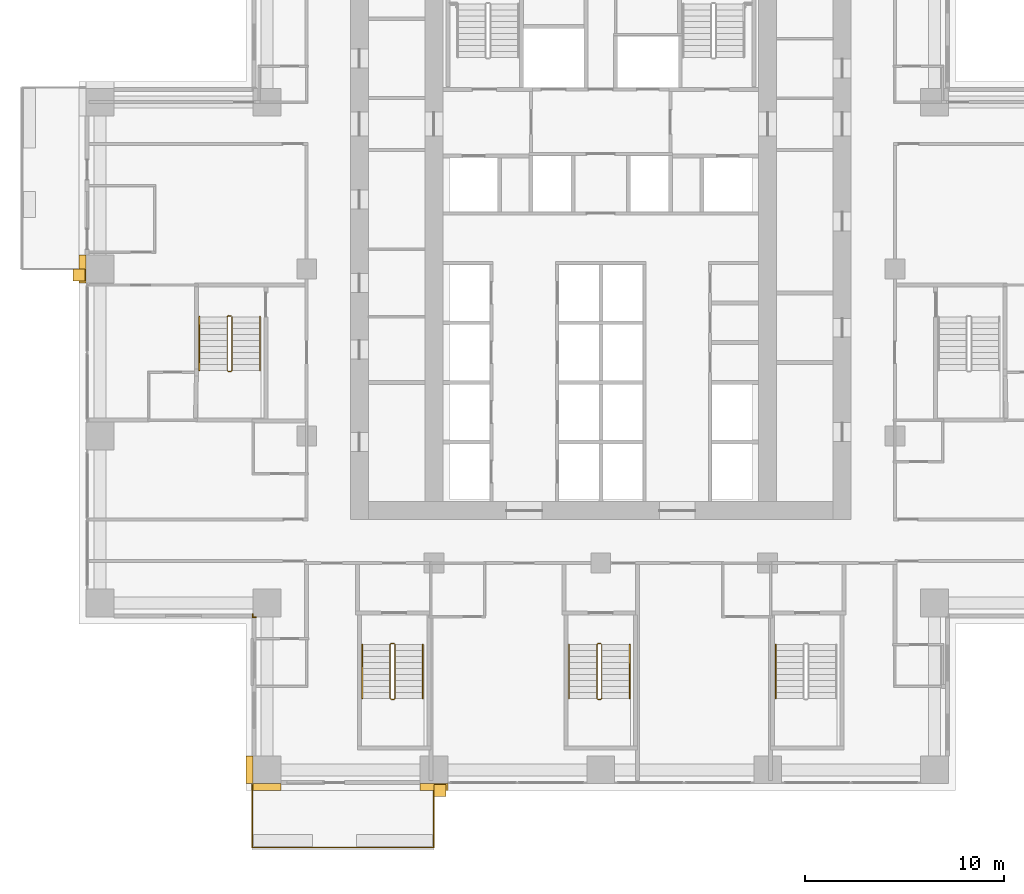
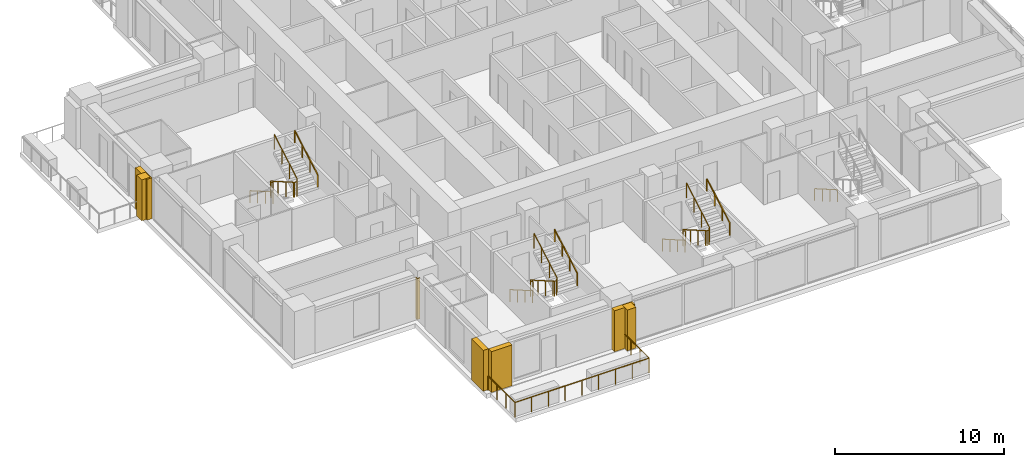
# One storey, part 13 of 16: 11 railings, 7 coverings.
"""IFC4 building model written with IfcOpenShell, lengths in metres."""

import ifcopenshell
import ifcopenshell.guid

model = None  # the IFC model being written
_history = None  # IfcOwnerHistory: only IFC2X3 demands one
_inside = {}  # id of a spatial element -> (the spatial element, [elements in it])
_under = {}  # id of a project, library or spatial element -> (it, [spatial elements below it])
_declared = {}  # id of a project -> (the project, [libraries it declares])
_typed = {}  # id of a type object -> (the type object, [elements of that type])
_made_of = {}  # id of a material, layer set ... -> (it, [elements and type objects made of it])


def new_model(schema):
    """Start an empty IFC model of exactly this schema.

    Asked for "IFC4X3", IfcOpenShell would pick the latest addendum, in which some entities
    have other attributes; the version numbers below select the first issue.
    IFC2X3 requires an IfcOwnerHistory on every rooted entity: one is made here for all.
    """
    global model, _history
    if schema == "IFC4X3":
        model = ifcopenshell.file(schema_version=(4, 3, 0, 0))
    else:
        model = ifcopenshell.file(schema=schema)
    _inside.clear()
    _under.clear()
    _declared.clear()
    _typed.clear()
    _made_of.clear()
    _history = None
    if model.schema == "IFC2X3":
        org = make("IfcOrganization", Name="unknown")
        user = make(
            "IfcPersonAndOrganization",
            ThePerson=make("IfcPerson", FamilyName="unknown"),
            TheOrganization=org,
        )
        app = make(
            "IfcApplication",
            ApplicationDeveloper=org,
            Version="unknown",
            ApplicationFullName="unknown",
            ApplicationIdentifier="unknown",
        )
        _history = make(
            "IfcOwnerHistory",
            OwningUser=user,
            OwningApplication=app,
            ChangeAction="ADDED",
            CreationDate=0,
        )
    return model


def make(cls, **values):
    """One entity of the class cls with the attributes given. An attribute that is None is left unset."""
    return model.create_entity(
        cls, **{name: value for name, value in values.items() if value is not None}
    )


def rooted(cls, **values):
    """An entity with a GlobalId (a new one), such as an element, a storey or a relation."""
    return make(cls, GlobalId=ifcopenshell.guid.new(), OwnerHistory=_history, **values)


def si_unit(unit_type, name, prefix=None):
    """IfcSIUnit, for example si_unit("LENGTHUNIT", "METRE", prefix="MILLI")."""
    return make("IfcSIUnit", UnitType=unit_type, Prefix=prefix, Name=name)


def assignment(units):
    """IfcUnitAssignment: the units of a project."""
    return None if units is None else make("IfcUnitAssignment", Units=units)


def point(xyz):
    """IfcCartesianPoint."""
    return None if xyz is None else make("IfcCartesianPoint", Coordinates=xyz)


def direction(xyz):
    """IfcDirection."""
    return None if xyz is None else make("IfcDirection", DirectionRatios=xyz)


def frame(location, z_axis=None, x_axis=None):
    """IfcAxis2Placement3D, a coordinate frame: its origin and axes. An axis left out is left unset."""
    return make(
        "IfcAxis2Placement3D",
        Location=point(location),
        Axis=direction(z_axis),
        RefDirection=direction(x_axis),
    )


def frame_2d(location, x_axis=None):
    """IfcAxis2Placement2D, a coordinate frame in the plane: its origin and x axis."""
    return make(
        "IfcAxis2Placement2D", Location=point(location), RefDirection=direction(x_axis)
    )


def origin():
    """The frame at (0, 0, 0) with its axes left unset."""
    return frame((0.0, 0.0, 0.0))


def origin_2d():
    """The frame at (0, 0) in the plane with its x axis left unset."""
    return frame_2d((0.0, 0.0))


def place(relative_to, where):
    """IfcLocalPlacement: puts the frame where relative to a parent placement (None: the world)."""
    return make(
        "IfcLocalPlacement", PlacementRelTo=relative_to, RelativePlacement=where
    )


def context(
    kind, dimensions, precision=None, world=None, true_north=None, identifier=None
):
    """IfcGeometricRepresentationContext, for example the 3D "Model" context."""
    return make(
        "IfcGeometricRepresentationContext",
        ContextIdentifier=identifier,
        ContextType=kind,
        CoordinateSpaceDimension=dimensions,
        Precision=precision,
        WorldCoordinateSystem=world,
        TrueNorth=true_north,
    )


def subcontext(parent, identifier, kind, view, scale=None):
    """IfcGeometricRepresentationSubContext, for example "Body" below "Model"."""
    return make(
        "IfcGeometricRepresentationSubContext",
        ContextIdentifier=identifier,
        ContextType=kind,
        ParentContext=parent,
        TargetScale=scale,
        TargetView=view,
    )


def project(units=None, contexts=None):
    """IfcProject with its units and contexts."""
    return rooted(
        "IfcProject",
        Name="project",
        RepresentationContexts=contexts,
        UnitsInContext=assignment(units),
    )


def spatial(cls, under=None, at=None, **own):
    """A site, building, storey or space (cls), placed at a placement, below another one or the project."""
    s = rooted(cls, ObjectPlacement=at, **own)
    if under is not None:
        _under.setdefault(under.id(), (under, []))[1].append(s)
    return s


def polyline(points):
    """IfcPolyline through the points."""
    return make("IfcPolyline", Points=[point(p) for p in points])


def profile(cls, at=None, kind="AREA", **sizes):
    """A parametric profile (cls). Its sizes go by their IFC names, for example OverallWidth=200.0."""
    return make(cls, ProfileType=kind, Position=at, **sizes)


def rectangle(**sizes):
    """IfcRectangleProfileDef."""
    return profile("IfcRectangleProfileDef", **sizes)


def outline(outer, holes=None, kind="AREA"):
    """IfcArbitraryClosedProfileDef: a profile drawn as a closed curve; with holes, ...WithVoids."""
    if holes is None:
        return make("IfcArbitraryClosedProfileDef", ProfileType=kind, OuterCurve=outer)
    return make(
        "IfcArbitraryProfileDefWithVoids",
        ProfileType=kind,
        OuterCurve=outer,
        InnerCurves=holes,
    )


def extrude(swept, where, along, depth):
    """IfcExtrudedAreaSolid: the profile swept, set in the frame where, extruded along a direction by depth."""
    return make(
        "IfcExtrudedAreaSolid",
        SweptArea=swept,
        Position=where,
        ExtrudedDirection=direction(along),
        Depth=depth,
    )


def shape(context_of_items, identifier, shape_type, items):
    """IfcShapeRepresentation: the items that make up one representation, for example the "Body"."""
    return make(
        "IfcShapeRepresentation",
        ContextOfItems=context_of_items,
        RepresentationIdentifier=identifier,
        RepresentationType=shape_type,
        Items=items,
    )


def material(Name=None, Category=None):
    """IfcMaterial."""
    return make("IfcMaterial", Name=Name, Category=Category)


def made_of(thing, what):
    """Note that an element or type object is made of a material, layer set ...; save() writes the relation."""
    if what is not None:
        _made_of.setdefault(what.id(), (what, []))[1].append(thing)
    return thing


def type_object(cls, material=None, **own):
    """A type object (cls), such as IfcWallType, which elements share."""
    return made_of(rooted(cls, **own), material)


def element(
    cls,
    number,
    at=None,
    inside=None,
    cuts=None,
    type_object=None,
    material=None,
    context=None,
    identifier="Body",
    shape_type=None,
    held_by="IfcProductDefinitionShape",
    body=None,
    shapes=None,
    **own,
):
    """One element of the class cls, such as IfcWall. Its Tag is "e" and its number.

    at: its placement. inside: the storey or other place that contains it. cuts: it is an
    opening in that element (IfcRelVoidsElement). A single representation is given by context,
    identifier, shape_type and body (its items); several are given by shapes. held_by: the class
    of the entity that holds the representations. save() writes the other relations.
    """
    e = rooted(cls, Tag="e%d" % number, ObjectPlacement=at, **own)
    if body is not None:
        shapes = [shape(context, identifier, shape_type, body)]
    if shapes is not None:
        e.Representation = make(held_by, Representations=shapes)
    if inside is not None:
        _inside.setdefault(inside.id(), (inside, []))[1].append(e)
    if cuts is not None:
        rooted(
            "IfcRelVoidsElement", RelatingBuildingElement=cuts, RelatedOpeningElement=e
        )
    if type_object is not None:
        _typed.setdefault(type_object.id(), (type_object, []))[1].append(e)
    return made_of(e, material)


def aggregate(whole, parts):
    """IfcRelAggregates: a whole, such as a stair, and the parts it consists of."""
    return rooted("IfcRelAggregates", RelatingObject=whole, RelatedObjects=parts)


def save(model, path):
    """Write the relations noted so far, then the file.

    IfcRelAggregates (storeys below a building ...), IfcRelContainedInSpatialStructure (elements
    in a storey), IfcRelDefinesByType, IfcRelAssociatesMaterial and IfcRelDeclares: one each for
    every whole, place, type object, material and project.
    """
    for whole, parts in _under.values():
        aggregate(whole, parts)
    for where, things in _inside.values():
        rooted(
            "IfcRelContainedInSpatialStructure",
            RelatedElements=things,
            RelatingStructure=where,
        )
    for kind, things in _typed.values():
        rooted("IfcRelDefinesByType", RelatedObjects=things, RelatingType=kind)
    for what, things in _made_of.values():
        rooted("IfcRelAssociatesMaterial", RelatedObjects=things, RelatingMaterial=what)
    for by, libraries in _declared.values():
        rooted("IfcRelDeclares", RelatingContext=by, RelatedDefinitions=libraries)
    model.write(path)


model = new_model("IFC4")

# Units and contexts
model_context = context("Model", 3, precision=1e-05, world=origin(), true_north=direction((0.0, 1.0)))
body_context = subcontext(model_context, "Body", "Model", "MODEL_VIEW")
ifc_project = project(units=[si_unit("LENGTHUNIT", "METRE"), si_unit("AREAUNIT", "SQUARE_METRE"), si_unit("VOLUMEUNIT", "CUBIC_METRE"), si_unit("PLANEANGLEUNIT", "RADIAN"), si_unit("MASSUNIT", "GRAM", prefix="KILO")], contexts=[model_context])

# Site, building, storey
site_placement = place(None, origin())
site = spatial("IfcSite", under=ifc_project, at=site_placement, CompositionType="ELEMENT")
building_placement = place(site_placement, origin())
building = spatial("IfcBuilding", under=site, at=building_placement, Name="Vermilion Ogive Tower", CompositionType="ELEMENT")
storey_placement = place(building_placement, frame((0.0, 0.0, 72.449951171875)))
storey = spatial("IfcBuildingStorey", under=building, at=storey_placement, Name="L17", CompositionType="ELEMENT", Elevation=72.449951171875)

# Railings
ifc_material_1 = material(Name="Stainless steel and glass", Category="steel")
railing_type_1 = type_object("IfcRailingType", Name="Balcony guard", PredefinedType="GUARDRAIL", material=ifc_material_1)
railing_1_placement = place(storey_placement, frame((-17.550048828125, -21.75, -0.0400390625)))
element("IfcRailing", 1, at=railing_1_placement, inside=storey, type_object=railing_type_1, Name="Guard S01", PredefinedType="GUARDRAIL", context=body_context, shape_type="SweptSolid", body=[
    extrude(rectangle(XDim=0.048095703125, YDim=0.048095703125, at=origin_2d()), frame((0.0, 0.0, 1.076171875), z_axis=(0.0, -1.0, 0.0), x_axis=(1.0, 0.0, 0.0)), (0.0, 0.0, 1.0), 3.159912109375),
    extrude(rectangle(XDim=0.048095703125, YDim=0.048095703125, at=origin_2d()), frame((0.0, -3.159912109375, 1.076171875), z_axis=(1.0, 0.0, 0.0), x_axis=(0.0, 1.0, 0.0)), (0.0, 0.0, 1.0), 9.150146484375),
    extrude(rectangle(XDim=0.048095703125, YDim=0.048095703125, at=origin_2d()), frame((9.150146484375, -3.159912109375, 1.076171875), z_axis=(0.0, 1.0, 0.0), x_axis=(-1.0, 0.0, 0.0)), (0.0, 0.0, 1.0), 3.159912109375),
    extrude(rectangle(XDim=0.0419921875, YDim=0.0419921875, at=origin_2d()), origin(), (0.0, 0.0, 1.0), 1.052001953125),
    extrude(rectangle(XDim=0.0419921875, YDim=0.0419921875, at=origin_2d()), frame((0.0, -1.05322265625, 0.0)), (0.0, 0.0, 1.0), 1.052001953125),
    extrude(rectangle(XDim=0.0419921875, YDim=0.0419921875, at=origin_2d()), frame((0.0, -2.106689453125, 0.0)), (0.0, 0.0, 1.0), 1.052001953125),
    extrude(rectangle(XDim=0.0419921875, YDim=0.0419921875, at=origin_2d()), frame((0.0, -3.159912109375, 0.0)), (0.0, 0.0, 1.0), 1.052001953125),
    extrude(rectangle(XDim=0.0419921875, YDim=0.0419921875, at=origin_2d()), frame((1.143798828125, -3.159912109375, 0.0)), (0.0, 0.0, 1.0), 1.052001953125),
    extrude(rectangle(XDim=0.0419921875, YDim=0.0419921875, at=origin_2d()), frame((2.28759765625, -3.159912109375, 0.0)), (0.0, 0.0, 1.0), 1.052001953125),
    extrude(rectangle(XDim=0.0419921875, YDim=0.0419921875, at=origin_2d()), frame((3.431396484375, -3.159912109375, 0.0)), (0.0, 0.0, 1.0), 1.052001953125),
    extrude(rectangle(XDim=0.0419921875, YDim=0.0419921875, at=origin_2d()), frame((4.5751953125, -3.159912109375, 0.0)), (0.0, 0.0, 1.0), 1.052001953125),
    extrude(rectangle(XDim=0.0419921875, YDim=0.0419921875, at=origin_2d()), frame((5.71875, -3.159912109375, 0.0)), (0.0, 0.0, 1.0), 1.052001953125),
    extrude(rectangle(XDim=0.0419921875, YDim=0.0419921875, at=origin_2d()), frame((6.862548828125, -3.159912109375, 0.0)), (0.0, 0.0, 1.0), 1.052001953125),
    extrude(rectangle(XDim=0.0419921875, YDim=0.0419921875, at=origin_2d()), frame((8.00634765625, -3.159912109375, 0.0)), (0.0, 0.0, 1.0), 1.052001953125),
    extrude(rectangle(XDim=0.0419921875, YDim=0.0419921875, at=origin_2d()), frame((9.150146484375, -3.159912109375, 0.0)), (0.0, 0.0, 1.0), 1.052001953125),
    extrude(rectangle(XDim=0.0419921875, YDim=0.0419921875, at=origin_2d()), frame((9.150146484375, -2.106689453125, 0.0)), (0.0, 0.0, 1.0), 1.052001953125),
    extrude(rectangle(XDim=0.0419921875, YDim=0.0419921875, at=origin_2d()), frame((9.150146484375, -1.05322265625, 0.0)), (0.0, 0.0, 1.0), 1.052001953125),
    extrude(rectangle(XDim=0.0419921875, YDim=0.0419921875, at=origin_2d()), frame((9.150146484375, 0.0, 0.0)), (0.0, 0.0, 1.0), 1.052001953125),
])
ifc_material_2 = material(Name="Steel S355 painted", Category="steel")
railing_type_2 = type_object("IfcRailingType", Name="Stair guard 1100", PredefinedType="GUARDRAIL", material=ifc_material_2)
railing_2_placement = place(storey_placement, frame((-10.39990234375, -14.64990234375, 0.0)))
element("IfcRailing", 2, at=railing_2_placement, inside=storey, type_object=railing_type_2, Name="L17 ST3 stair guard 4", PredefinedType="GUARDRAIL", context=body_context, shape_type="SweptSolid", body=[
    extrude(rectangle(XDim=0.048095703125, YDim=0.048095703125, at=origin_2d()), frame((0.0, 0.0, 1.076171875), z_axis=(-1.0, 0.0, 0.0), x_axis=(0.0, -1.0, 0.0)), (0.0, 0.0, 1.0), 0.150146484375),
    extrude(rectangle(XDim=0.048095703125, YDim=0.048095703125, at=origin_2d()), frame((-0.150146484375, 0.0, 1.076171875), z_axis=(-0.268277960024, -0.268277960024, 0.925231793839), x_axis=(0.707106781187, -0.707106781187, 0.0)), (0.0, 0.0, 1.0), 0.1865234375),
    extrude(rectangle(XDim=0.048095703125, YDim=0.048095703125, at=origin_2d()), frame((-0.2001953125, -0.050048828125, 1.24853515625), z_axis=(0.0, -0.866903762492, 0.498475542607), x_axis=(1.0, 0.0, 0.0)), (0.0, 0.0, 1.0), 3.114501953125),
    extrude(rectangle(XDim=0.048095703125, YDim=0.048095703125, at=origin_2d()), frame((-0.2001953125, -2.75, 2.80126953125), z_axis=(0.707106781187, -0.707106781187, 0.0), x_axis=(0.707106781187, 0.707106781187, 0.0)), (0.0, 0.0, 1.0), 0.07080078125),
    extrude(rectangle(XDim=0.048095703125, YDim=0.048095703125, at=origin_2d()), frame((-0.150146484375, -2.800048828125, 2.80126953125), z_axis=(1.0, 0.0, 0.0), x_axis=(0.0, 1.0, 0.0)), (0.0, 0.0, 1.0), 0.150146484375),
    extrude(rectangle(XDim=0.048095703125, YDim=0.048095703125, at=origin_2d()), frame((0.0, -2.800048828125, 2.80126953125), z_axis=(0.267386790225, 0.268697509785, 0.925368009307), x_axis=(-0.708833529934, 0.705375805398, 0.0)), (0.0, 0.0, 1.0), 0.186279296875),
    extrude(rectangle(XDim=0.048095703125, YDim=0.048095703125, at=origin_2d()), frame((0.0498046875, -2.75, 2.9736328125), z_axis=(0.0, 0.866903762492, 0.498475542607), x_axis=(-1.0, 0.0, 0.0)), (0.0, 0.0, 1.0), 3.114501953125),
    extrude(rectangle(XDim=0.0419921875, YDim=0.0419921875, at=origin_2d()), origin(), (0.0, 0.0, 1.0), 1.052001953125),
    extrude(rectangle(XDim=0.0419921875, YDim=0.0419921875, at=origin_2d()), frame((-0.150146484375, 0.0, 0.0)), (0.0, 0.0, 1.0), 1.052001953125),
    extrude(rectangle(XDim=0.0419921875, YDim=0.0419921875, at=origin_2d()), frame((-0.2001953125, -0.050048828125, 0.172607421875)), (0.0, 0.0, 1.0), 1.052001953125),
    extrude(rectangle(XDim=0.0419921875, YDim=0.0419921875, at=origin_2d()), frame((-0.2001953125, -0.949951171875, 0.690185546875)), (0.0, 0.0, 1.0), 1.052001953125),
    extrude(rectangle(XDim=0.0419921875, YDim=0.0419921875, at=origin_2d()), frame((-0.2001953125, -1.85009765625, 1.20751953125)), (0.0, 0.0, 1.0), 1.052001953125),
    extrude(rectangle(XDim=0.0419921875, YDim=0.0419921875, at=origin_2d()), frame((-0.2001953125, -2.75, 1.72509765625)), (0.0, 0.0, 1.0), 1.052001953125),
    extrude(rectangle(XDim=0.0419921875, YDim=0.0419921875, at=origin_2d()), frame((-0.150146484375, -2.800048828125, 1.72509765625)), (0.0, 0.0, 1.0), 1.052001953125),
    extrude(rectangle(XDim=0.0419921875, YDim=0.0419921875, at=origin_2d()), frame((0.0, -2.800048828125, 1.72509765625)), (0.0, 0.0, 1.0), 1.052001953125),
    extrude(rectangle(XDim=0.0419921875, YDim=0.0419921875, at=origin_2d()), frame((0.0498046875, -2.75, 1.8974609375)), (0.0, 0.0, 1.0), 1.052001953125),
    extrude(rectangle(XDim=0.0419921875, YDim=0.0419921875, at=origin_2d()), frame((0.0498046875, -1.85009765625, 2.4150390625)), (0.0, 0.0, 1.0), 1.052001953125),
    extrude(rectangle(XDim=0.0419921875, YDim=0.0419921875, at=origin_2d()), frame((0.0498046875, -0.949951171875, 2.932373046875)), (0.0, 0.0, 1.0), 1.052001953125),
    extrude(rectangle(XDim=0.0419921875, YDim=0.0419921875, at=origin_2d()), frame((0.0498046875, -0.050048828125, 3.449951171875)), (0.0, 0.0, 1.0), 1.052001953125),
])
railing_3_placement = place(storey_placement, frame((0.0, -14.64990234375, 0.0)))
element("IfcRailing", 3, at=railing_3_placement, inside=storey, type_object=railing_type_2, Name="L17 ST4 stair guard 4", PredefinedType="GUARDRAIL", context=body_context, shape_type="SweptSolid", body=[
    extrude(rectangle(XDim=0.048095703125, YDim=0.048095703125, at=origin_2d()), frame((0.0, 0.0, 1.076171875), z_axis=(-1.0, 0.0, 0.0), x_axis=(0.0, -1.0, 0.0)), (0.0, 0.0, 1.0), 0.14990234375),
    extrude(rectangle(XDim=0.048095703125, YDim=0.048095703125, at=origin_2d()), frame((-0.14990234375, 0.0, 1.076171875), z_axis=(-0.268277960024, -0.268277960024, 0.925231793839), x_axis=(0.707106781187, -0.707106781187, 0.0)), (0.0, 0.0, 1.0), 0.1865234375),
    extrude(rectangle(XDim=0.048095703125, YDim=0.048095703125, at=origin_2d()), frame((-0.199951171875, -0.050048828125, 1.24853515625), z_axis=(0.0, -0.866903762492, 0.498475542607), x_axis=(1.0, 0.0, 0.0)), (0.0, 0.0, 1.0), 3.114501953125),
    extrude(rectangle(XDim=0.048095703125, YDim=0.048095703125, at=origin_2d()), frame((-0.199951171875, -2.75, 2.80126953125), z_axis=(0.707106781187, -0.707106781187, 0.0), x_axis=(0.707106781187, 0.707106781187, 0.0)), (0.0, 0.0, 1.0), 0.07080078125),
    extrude(rectangle(XDim=0.048095703125, YDim=0.048095703125, at=origin_2d()), frame((-0.14990234375, -2.800048828125, 2.80126953125), z_axis=(1.0, 0.0, 0.0), x_axis=(0.0, 1.0, 0.0)), (0.0, 0.0, 1.0), 0.14990234375),
    extrude(rectangle(XDim=0.048095703125, YDim=0.048095703125, at=origin_2d()), frame((0.0, -2.800048828125, 2.80126953125), z_axis=(0.268603158521, 0.268603158521, 0.925043072762), x_axis=(-0.707106781187, 0.707106781187, 0.0)), (0.0, 0.0, 1.0), 0.186279296875),
    extrude(rectangle(XDim=0.048095703125, YDim=0.048095703125, at=origin_2d()), frame((0.050048828125, -2.75, 2.9736328125), z_axis=(0.0, 0.866903762492, 0.498475542607), x_axis=(-1.0, 0.0, 0.0)), (0.0, 0.0, 1.0), 3.114501953125),
    extrude(rectangle(XDim=0.0419921875, YDim=0.0419921875, at=origin_2d()), origin(), (0.0, 0.0, 1.0), 1.052001953125),
    extrude(rectangle(XDim=0.0419921875, YDim=0.0419921875, at=origin_2d()), frame((-0.14990234375, 0.0, 0.0)), (0.0, 0.0, 1.0), 1.052001953125),
    extrude(rectangle(XDim=0.0419921875, YDim=0.0419921875, at=origin_2d()), frame((-0.199951171875, -0.050048828125, 0.172607421875)), (0.0, 0.0, 1.0), 1.052001953125),
    extrude(rectangle(XDim=0.0419921875, YDim=0.0419921875, at=origin_2d()), frame((-0.199951171875, -0.949951171875, 0.690185546875)), (0.0, 0.0, 1.0), 1.052001953125),
    extrude(rectangle(XDim=0.0419921875, YDim=0.0419921875, at=origin_2d()), frame((-0.199951171875, -1.85009765625, 1.20751953125)), (0.0, 0.0, 1.0), 1.052001953125),
    extrude(rectangle(XDim=0.0419921875, YDim=0.0419921875, at=origin_2d()), frame((-0.199951171875, -2.75, 1.72509765625)), (0.0, 0.0, 1.0), 1.052001953125),
    extrude(rectangle(XDim=0.0419921875, YDim=0.0419921875, at=origin_2d()), frame((-0.14990234375, -2.800048828125, 1.72509765625)), (0.0, 0.0, 1.0), 1.052001953125),
    extrude(rectangle(XDim=0.0419921875, YDim=0.0419921875, at=origin_2d()), frame((0.0, -2.800048828125, 1.72509765625)), (0.0, 0.0, 1.0), 1.052001953125),
    extrude(rectangle(XDim=0.0419921875, YDim=0.0419921875, at=origin_2d()), frame((0.050048828125, -2.75, 1.8974609375)), (0.0, 0.0, 1.0), 1.052001953125),
    extrude(rectangle(XDim=0.0419921875, YDim=0.0419921875, at=origin_2d()), frame((0.050048828125, -1.85009765625, 2.4150390625)), (0.0, 0.0, 1.0), 1.052001953125),
    extrude(rectangle(XDim=0.0419921875, YDim=0.0419921875, at=origin_2d()), frame((0.050048828125, -0.949951171875, 2.932373046875)), (0.0, 0.0, 1.0), 1.052001953125),
    extrude(rectangle(XDim=0.0419921875, YDim=0.0419921875, at=origin_2d()), frame((0.050048828125, -0.050048828125, 3.449951171875)), (0.0, 0.0, 1.0), 1.052001953125),
])
railing_4_placement = place(storey_placement, frame((-18.60009765625, 1.85009765625, 0.0)))
element("IfcRailing", 4, at=railing_4_placement, inside=storey, type_object=railing_type_2, Name="L17 ST9 stair guard 4", PredefinedType="GUARDRAIL", context=body_context, shape_type="SweptSolid", body=[
    extrude(rectangle(XDim=0.048095703125, YDim=0.048095703125, at=origin_2d()), frame((0.0, 0.0, 1.076171875), z_axis=(-1.0, 0.0, 0.0), x_axis=(0.0, -1.0, 0.0)), (0.0, 0.0, 1.0), 0.14990234375),
    extrude(rectangle(XDim=0.048095703125, YDim=0.048095703125, at=origin_2d()), frame((-0.14990234375, 0.0, 1.076171875), z_axis=(-0.268277960024, -0.268277960024, 0.925231793839), x_axis=(0.707106781187, -0.707106781187, 0.0)), (0.0, 0.0, 1.0), 0.1865234375),
    extrude(rectangle(XDim=0.048095703125, YDim=0.048095703125, at=origin_2d()), frame((-0.199951171875, -0.050048828125, 1.24853515625), z_axis=(0.0, -0.866903762492, 0.498475542607), x_axis=(1.0, 0.0, 0.0)), (0.0, 0.0, 1.0), 3.114501953125),
    extrude(rectangle(XDim=0.048095703125, YDim=0.048095703125, at=origin_2d()), frame((-0.199951171875, -2.75, 2.80126953125), z_axis=(0.707106781187, -0.707106781187, 0.0), x_axis=(0.707106781187, 0.707106781187, 0.0)), (0.0, 0.0, 1.0), 0.07080078125),
    extrude(rectangle(XDim=0.048095703125, YDim=0.048095703125, at=origin_2d()), frame((-0.14990234375, -2.800048828125, 2.80126953125), z_axis=(1.0, 0.0, 0.0), x_axis=(0.0, 1.0, 0.0)), (0.0, 0.0, 1.0), 0.14990234375),
    extrude(rectangle(XDim=0.048095703125, YDim=0.048095703125, at=origin_2d()), frame((0.0, -2.800048828125, 2.80126953125), z_axis=(0.268603158521, 0.268603158521, 0.925043072762), x_axis=(-0.707106781187, 0.707106781187, 0.0)), (0.0, 0.0, 1.0), 0.186279296875),
    extrude(rectangle(XDim=0.048095703125, YDim=0.048095703125, at=origin_2d()), frame((0.050048828125, -2.75, 2.9736328125), z_axis=(0.0, 0.866903762492, 0.498475542607), x_axis=(-1.0, 0.0, 0.0)), (0.0, 0.0, 1.0), 3.114501953125),
    extrude(rectangle(XDim=0.0419921875, YDim=0.0419921875, at=origin_2d()), origin(), (0.0, 0.0, 1.0), 1.052001953125),
    extrude(rectangle(XDim=0.0419921875, YDim=0.0419921875, at=origin_2d()), frame((-0.14990234375, 0.0, 0.0)), (0.0, 0.0, 1.0), 1.052001953125),
    extrude(rectangle(XDim=0.0419921875, YDim=0.0419921875, at=origin_2d()), frame((-0.199951171875, -0.050048828125, 0.172607421875)), (0.0, 0.0, 1.0), 1.052001953125),
    extrude(rectangle(XDim=0.0419921875, YDim=0.0419921875, at=origin_2d()), frame((-0.199951171875, -0.949951171875, 0.690185546875)), (0.0, 0.0, 1.0), 1.052001953125),
    extrude(rectangle(XDim=0.0419921875, YDim=0.0419921875, at=origin_2d()), frame((-0.199951171875, -1.85009765625, 1.20751953125)), (0.0, 0.0, 1.0), 1.052001953125),
    extrude(rectangle(XDim=0.0419921875, YDim=0.0419921875, at=origin_2d()), frame((-0.199951171875, -2.75, 1.72509765625)), (0.0, 0.0, 1.0), 1.052001953125),
    extrude(rectangle(XDim=0.0419921875, YDim=0.0419921875, at=origin_2d()), frame((-0.14990234375, -2.800048828125, 1.72509765625)), (0.0, 0.0, 1.0), 1.052001953125),
    extrude(rectangle(XDim=0.0419921875, YDim=0.0419921875, at=origin_2d()), frame((0.0, -2.800048828125, 1.72509765625)), (0.0, 0.0, 1.0), 1.052001953125),
    extrude(rectangle(XDim=0.0419921875, YDim=0.0419921875, at=origin_2d()), frame((0.050048828125, -2.75, 1.8974609375)), (0.0, 0.0, 1.0), 1.052001953125),
    extrude(rectangle(XDim=0.0419921875, YDim=0.0419921875, at=origin_2d()), frame((0.050048828125, -1.85009765625, 2.4150390625)), (0.0, 0.0, 1.0), 1.052001953125),
    extrude(rectangle(XDim=0.0419921875, YDim=0.0419921875, at=origin_2d()), frame((0.050048828125, -0.949951171875, 2.932373046875)), (0.0, 0.0, 1.0), 1.052001953125),
    extrude(rectangle(XDim=0.0419921875, YDim=0.0419921875, at=origin_2d()), frame((0.050048828125, -0.050048828125, 3.449951171875)), (0.0, 0.0, 1.0), 1.052001953125),
])
ifc_material_3 = material(Name="Stainless steel", Category="steel")
railing_type_3 = type_object("IfcRailingType", Name="Stair handrail 900", PredefinedType="HANDRAIL", material=ifc_material_3)
railing_5_placement = place(storey_placement, frame((-12.0, -14.699951171875, 0.172607421875)))
element("IfcRailing", 5, at=railing_5_placement, inside=storey, type_object=railing_type_3, Name="L17 ST3 stair handrail 1", PredefinedType="HANDRAIL", context=body_context, shape_type="SweptSolid", body=[
    extrude(rectangle(XDim=0.048095703125, YDim=0.048095703125, at=origin_2d()), frame((0.0, 0.0, 0.8759765625), z_axis=(0.0, -0.866903762492, 0.498475542607), x_axis=(1.0, 0.0, 0.0)), (0.0, 0.0, 1.0), 3.114501953125),
    extrude(rectangle(XDim=0.0419921875, YDim=0.0419921875, at=origin_2d()), origin(), (0.0, 0.0, 1.0), 0.851806640625),
    extrude(rectangle(XDim=0.0419921875, YDim=0.0419921875, at=origin_2d()), frame((0.0, -0.89990234375, 0.517578125)), (0.0, 0.0, 1.0), 0.851806640625),
    extrude(rectangle(XDim=0.0419921875, YDim=0.0419921875, at=origin_2d()), frame((0.0, -1.800048828125, 1.034912109375)), (0.0, 0.0, 1.0), 0.851806640625),
    extrude(rectangle(XDim=0.0419921875, YDim=0.0419921875, at=origin_2d()), frame((0.0, -2.699951171875, 1.552490234375)), (0.0, 0.0, 1.0), 0.851806640625),
])
railing_6_placement = place(storey_placement, frame((-8.949951171875, -17.39990234375, 1.8974609375)))
element("IfcRailing", 6, at=railing_6_placement, inside=storey, type_object=railing_type_3, Name="L17 ST3 stair handrail 2", PredefinedType="HANDRAIL", context=body_context, shape_type="SweptSolid", body=[
    extrude(rectangle(XDim=0.048095703125, YDim=0.048095703125, at=origin_2d()), frame((0.0, 0.0, 0.8759765625), z_axis=(0.0, 0.866903762492, 0.498475542607), x_axis=(-1.0, 0.0, 0.0)), (0.0, 0.0, 1.0), 3.114501953125),
    extrude(rectangle(XDim=0.0419921875, YDim=0.0419921875, at=origin_2d()), origin(), (0.0, 0.0, 1.0), 0.851806640625),
    extrude(rectangle(XDim=0.0419921875, YDim=0.0419921875, at=origin_2d()), frame((0.0, 0.89990234375, 0.517578125)), (0.0, 0.0, 1.0), 0.851806640625),
    extrude(rectangle(XDim=0.0419921875, YDim=0.0419921875, at=origin_2d()), frame((0.0, 1.800048828125, 1.034912109375)), (0.0, 0.0, 1.0), 0.851806640625),
    extrude(rectangle(XDim=0.0419921875, YDim=0.0419921875, at=origin_2d()), frame((0.0, 2.699951171875, 1.552490234375)), (0.0, 0.0, 1.0), 0.851806640625),
])
railing_7_placement = place(storey_placement, frame((-1.60009765625, -14.699951171875, 0.172607421875)))
element("IfcRailing", 7, at=railing_7_placement, inside=storey, type_object=railing_type_3, Name="L17 ST4 stair handrail 1", PredefinedType="HANDRAIL", context=body_context, shape_type="SweptSolid", body=[
    extrude(rectangle(XDim=0.048095703125, YDim=0.048095703125, at=origin_2d()), frame((0.0, 0.0, 0.8759765625), z_axis=(0.0, -0.866903762492, 0.498475542607), x_axis=(1.0, 0.0, 0.0)), (0.0, 0.0, 1.0), 3.114501953125),
    extrude(rectangle(XDim=0.0419921875, YDim=0.0419921875, at=origin_2d()), origin(), (0.0, 0.0, 1.0), 0.851806640625),
    extrude(rectangle(XDim=0.0419921875, YDim=0.0419921875, at=origin_2d()), frame((0.0, -0.89990234375, 0.517578125)), (0.0, 0.0, 1.0), 0.851806640625),
    extrude(rectangle(XDim=0.0419921875, YDim=0.0419921875, at=origin_2d()), frame((0.0, -1.800048828125, 1.034912109375)), (0.0, 0.0, 1.0), 0.851806640625),
    extrude(rectangle(XDim=0.0419921875, YDim=0.0419921875, at=origin_2d()), frame((0.0, -2.699951171875, 1.552490234375)), (0.0, 0.0, 1.0), 0.851806640625),
])
railing_8_placement = place(storey_placement, frame((1.449951171875, -17.39990234375, 1.8974609375)))
element("IfcRailing", 8, at=railing_8_placement, inside=storey, type_object=railing_type_3, Name="L17 ST4 stair handrail 2", PredefinedType="HANDRAIL", context=body_context, shape_type="SweptSolid", body=[
    extrude(rectangle(XDim=0.048095703125, YDim=0.048095703125, at=origin_2d()), frame((0.0, 0.0, 0.8759765625), z_axis=(0.0, 0.866903762492, 0.498475542607), x_axis=(-1.0, 0.0, 0.0)), (0.0, 0.0, 1.0), 3.114501953125),
    extrude(rectangle(XDim=0.0419921875, YDim=0.0419921875, at=origin_2d()), origin(), (0.0, 0.0, 1.0), 0.851806640625),
    extrude(rectangle(XDim=0.0419921875, YDim=0.0419921875, at=origin_2d()), frame((0.0, 0.89990234375, 0.517578125)), (0.0, 0.0, 1.0), 0.851806640625),
    extrude(rectangle(XDim=0.0419921875, YDim=0.0419921875, at=origin_2d()), frame((0.0, 1.800048828125, 1.034912109375)), (0.0, 0.0, 1.0), 0.851806640625),
    extrude(rectangle(XDim=0.0419921875, YDim=0.0419921875, at=origin_2d()), frame((0.0, 2.699951171875, 1.552490234375)), (0.0, 0.0, 1.0), 0.851806640625),
])
for number, where, name in (
    (9, (8.800048828125, -14.699951171875, 0.172607421875), "L17 ST5 stair handrail 1"),
    (10, (-20.199951171875, 1.800048828125, 0.172607421875), "L17 ST9 stair handrail 1"),
):
    element("IfcRailing", number, at=place(storey_placement, frame(where)), inside=storey, type_object=railing_type_3, Name=name, PredefinedType="HANDRAIL", context=body_context, shape_type="SweptSolid", body=[
        extrude(rectangle(XDim=0.048095703125, YDim=0.048095703125, at=origin_2d()), frame((0.0, 0.0, 0.8759765625), z_axis=(0.0, -0.866903762492, 0.498475542607), x_axis=(1.0, 0.0, 0.0)), (0.0, 0.0, 1.0), 3.114501953125),
        extrude(rectangle(XDim=0.0419921875, YDim=0.0419921875, at=origin_2d()), origin(), (0.0, 0.0, 1.0), 0.851806640625),
        extrude(rectangle(XDim=0.0419921875, YDim=0.0419921875, at=origin_2d()), frame((0.0, -0.89990234375, 0.517578125)), (0.0, 0.0, 1.0), 0.851806640625),
        extrude(rectangle(XDim=0.0419921875, YDim=0.0419921875, at=origin_2d()), frame((0.0, -1.800048828125, 1.034912109375)), (0.0, 0.0, 1.0), 0.851806640625),
        extrude(rectangle(XDim=0.0419921875, YDim=0.0419921875, at=origin_2d()), frame((0.0, -2.699951171875, 1.552490234375)), (0.0, 0.0, 1.0), 0.851806640625),
    ])
railing_9_placement = place(storey_placement, frame((-17.14990234375, -0.89990234375, 1.8974609375)))
element("IfcRailing", 11, at=railing_9_placement, inside=storey, type_object=railing_type_3, Name="L17 ST9 stair handrail 2", PredefinedType="HANDRAIL", context=body_context, shape_type="SweptSolid", body=[
    extrude(rectangle(XDim=0.048095703125, YDim=0.048095703125, at=origin_2d()), frame((0.0, 0.0, 0.8759765625), z_axis=(0.0, 0.866903762492, 0.498475542607), x_axis=(-1.0, 0.0, 0.0)), (0.0, 0.0, 1.0), 3.114501953125),
    extrude(rectangle(XDim=0.0419921875, YDim=0.0419921875, at=origin_2d()), origin(), (0.0, 0.0, 1.0), 0.851806640625),
    extrude(rectangle(XDim=0.0419921875, YDim=0.0419921875, at=origin_2d()), frame((0.0, 0.89990234375, 0.517578125)), (0.0, 0.0, 1.0), 0.851806640625),
    extrude(rectangle(XDim=0.0419921875, YDim=0.0419921875, at=origin_2d()), frame((0.0, 1.800048828125, 1.034912109375)), (0.0, 0.0, 1.0), 0.851806640625),
    extrude(rectangle(XDim=0.0419921875, YDim=0.0419921875, at=origin_2d()), frame((0.0, 2.699951171875, 1.552490234375)), (0.0, 0.0, 1.0), 0.851806640625),
])

# Coverings
ifc_material_4 = material(Name="Stone cladding", Category="masonry")
covering_type_1 = type_object("IfcCoveringType", Name="Stone corner buttress", PredefinedType="CLADDING", material=ifc_material_4)
covering_1_placement = place(storey_placement, origin())
element("IfcCovering", 12, at=covering_1_placement, inside=storey, type_object=covering_type_1, Name="Stone crease pier SK", PredefinedType="CLADDING", context=body_context, shape_type="SweptSolid", body=[
    extrude(outline(polyline([(-8.39990234375, -22.35009765625), (-7.800048828125, -22.35009765625), (-7.800048828125, -21.75), (-8.39990234375, -21.75), (-8.39990234375, -22.35009765625)])), origin(), (0.0, 0.0, 1.0), 2.949951171875),
])
covering_2_placement = place(storey_placement, origin())
element("IfcCovering", 13, at=covering_2_placement, inside=storey, type_object=covering_type_1, Name="Stone crease pier WK", PredefinedType="CLADDING", context=body_context, shape_type="SweptSolid", body=[
    extrude(outline(polyline([(-26.550048828125, 4.199951171875), (-26.550048828125, 3.60009765625), (-25.949951171875, 3.60009765625), (-25.949951171875, 4.199951171875), (-26.550048828125, 4.199951171875)])), origin(), (0.0, 0.0, 1.0), 2.949951171875),
])
ifc_material_5 = material(Name="Stone cladding", Category="masonry")
covering_type_2 = type_object("IfcCoveringType", Name="Stone pier", PredefinedType="CLADDING", material=ifc_material_5)
covering_3_placement = place(storey_placement, origin())
element("IfcCovering", 14, at=covering_3_placement, inside=storey, type_object=covering_type_2, Name="Stone corner pier X7E1", PredefinedType="CLADDING", context=body_context, shape_type="SweptSolid", body=[
    extrude(outline(polyline([(-17.5, -13.14990234375), (-17.5, -13.300048828125), (-17.35009765625, -13.300048828125), (-17.35009765625, -13.35009765625), (-17.550048828125, -13.35009765625), (-17.550048828125, -13.14990234375), (-17.5, -13.14990234375)])), origin(), (0.0, 0.0, 1.0), 2.949951171875),
])
covering_4_placement = place(storey_placement, origin())
element("IfcCovering", 15, at=covering_4_placement, inside=storey, type_object=covering_type_2, Name="Stone pier P-0084-210", PredefinedType="CLADDING", context=body_context, shape_type="SweptSolid", body=[
    extrude(outline(polyline([(-7.699951171875, -22.050048828125), (-7.800048828125, -22.050048828125), (-7.800048828125, -21.75), (-8.39990234375, -21.75), (-8.39990234375, -22.050048828125), (-9.10009765625, -22.050048828125), (-9.10009765625, -21.699951171875), (-7.699951171875, -21.699951171875), (-7.699951171875, -22.050048828125)])), origin(), (0.0, 0.0, 1.0), 2.949951171875),
])
covering_5_placement = place(storey_placement, origin())
element("IfcCovering", 16, at=covering_5_placement, inside=storey, type_object=covering_type_2, Name="Stone pier P-0168-210S", PredefinedType="CLADDING", context=body_context, shape_type="SweptSolid", body=[
    extrude(outline(polyline([(-16.10009765625, -22.050048828125), (-17.5, -22.050048828125), (-17.5, -21.699951171875), (-16.10009765625, -21.699951171875), (-16.10009765625, -22.050048828125)])), origin(), (0.0, 0.0, 1.0), 2.949951171875),
])
covering_6_placement = place(storey_placement, origin())
element("IfcCovering", 17, at=covering_6_placement, inside=storey, type_object=covering_type_2, Name="Stone pier P-0168-210X8", PredefinedType="CLADDING", context=body_context, shape_type="SweptSolid", body=[
    extrude(outline(polyline([(-17.85009765625, -20.300048828125), (-17.5, -20.300048828125), (-17.5, -21.699951171875), (-17.85009765625, -21.699951171875), (-17.85009765625, -20.300048828125)])), origin(), (0.0, 0.0, 1.0), 2.949951171875),
])
covering_7_placement = place(storey_placement, origin())
element("IfcCovering", 18, at=covering_7_placement, inside=storey, type_object=covering_type_2, Name="Stone pier P-0252+042", PredefinedType="CLADDING", context=body_context, shape_type="SweptSolid", body=[
    extrude(outline(polyline([(-26.25, 3.5), (-26.25, 3.60009765625), (-25.949951171875, 3.60009765625), (-25.949951171875, 4.199951171875), (-26.25, 4.199951171875), (-26.25, 4.89990234375), (-25.89990234375, 4.89990234375), (-25.89990234375, 3.5), (-26.25, 3.5)])), origin(), (0.0, 0.0, 1.0), 2.949951171875),
])

save(model, "model.ifc")
